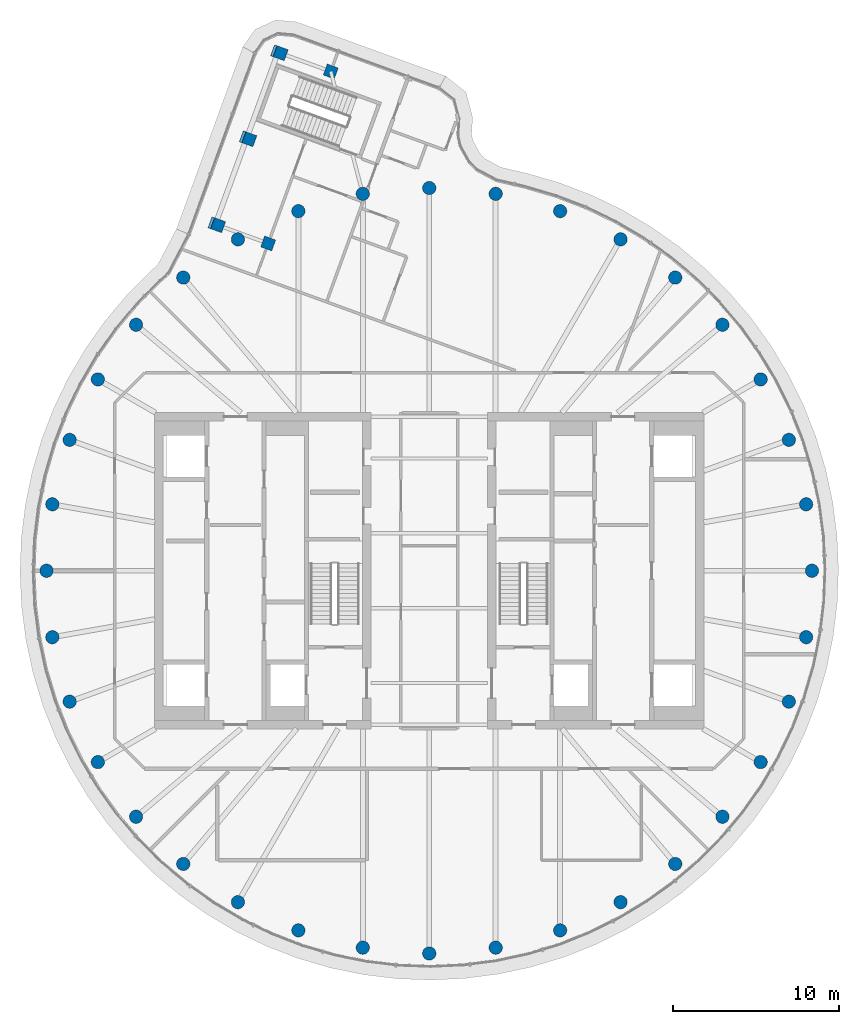
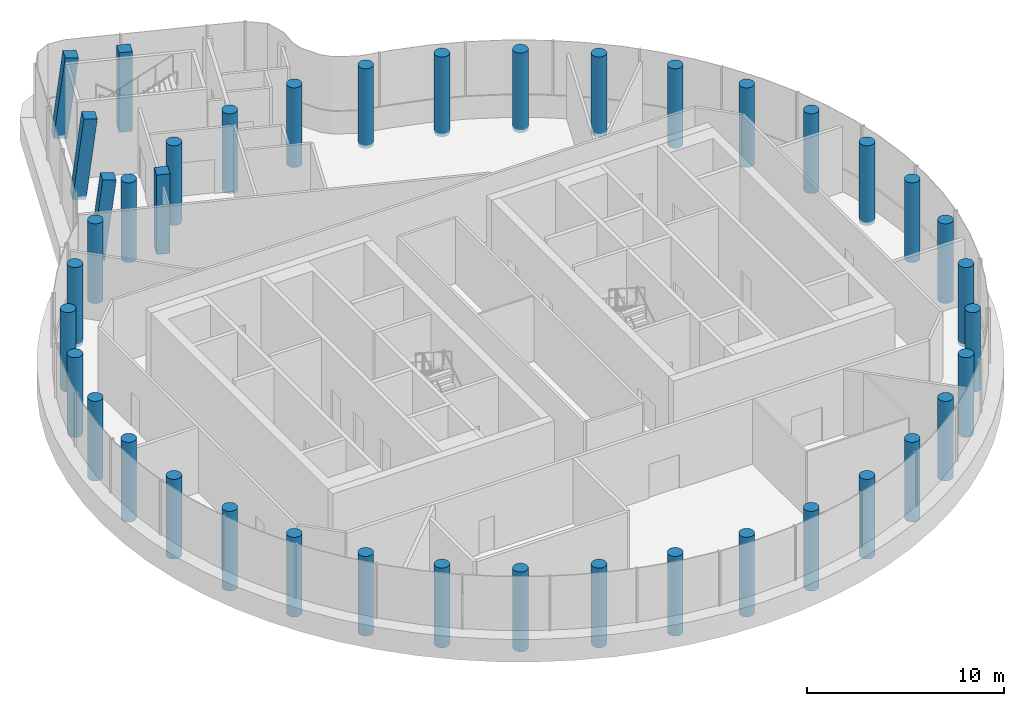
# One storey, part 1 of 12: 41 columns.
"""IFC4 building model written with IfcOpenShell, lengths in metres."""

from ifc_helpers import new_model, si_unit, direction, frame, origin, origin_2d, place, context, subcontext, project, spatial, rectangle, circle, extrude, material, material_profile, profile_set, type_object, element, save


model = new_model("IFC4")

# Units and contexts
model_context = context("Model", 3, precision=1e-05, world=origin(), true_north=direction((0.0, 1.0)))
body_context = subcontext(model_context, "Body", "Model", "MODEL_VIEW")
ifc_project = project(units=[si_unit("LENGTHUNIT", "METRE"), si_unit("AREAUNIT", "SQUARE_METRE"), si_unit("VOLUMEUNIT", "CUBIC_METRE"), si_unit("PLANEANGLEUNIT", "RADIAN"), si_unit("MASSUNIT", "GRAM", prefix="KILO")], contexts=[model_context])

# Site, building, storey
site_placement = place(None, origin())
site = spatial("IfcSite", under=ifc_project, at=site_placement, CompositionType="ELEMENT")
building_placement = place(site_placement, origin())
building = spatial("IfcBuilding", under=site, at=building_placement, Name="Tamarind Cross Interchange Tower", CompositionType="ELEMENT")
storey_placement = place(building_placement, frame((0.0, 0.0, 294.39990234375)))
storey = spatial("IfcBuildingStorey", under=building, at=storey_placement, Name="L73", CompositionType="ELEMENT", Elevation=294.39990234375)

# Columns
ifc_material = material(Name="Concrete C45", Category="concrete")
ifc_material_profile_1 = material_profile(ifc_material, rectangle(XDim=0.699951171875, YDim=0.699951171875, at=origin_2d()), Name="RC 700x700")
ifc_profile_set_1 = profile_set([ifc_material_profile_1], Name="Concrete C45")
column_type_1 = type_object("IfcColumnType", Name="Column RC 700x700 Concrete C45", PredefinedType="COLUMN", material=ifc_profile_set_1)
for number, where, z_axis, x_axis, name in (
    (1, (-9.680419921875, 19.670166015625, -0.192626953125), (0.0, 0.0, 1.0), (0.341993902024, 0.939702171424, 0.0), "Column L73-045"),
    (2, (-5.91845703125, 30.0068359375, -0.192626953125), (0.0, 0.0, 1.0), (0.341993902024, 0.939702171424, 0.0), "Column L73-046"),
):
    element("IfcColumn", number, at=place(storey_placement, frame(where, z_axis=z_axis, x_axis=x_axis)), inside=storey, type_object=column_type_1, Name=name, PredefinedType="COLUMN", context=body_context, shape_type="SweptSolid", body=[
        extrude(rectangle(XDim=0.699951171875, YDim=0.699951171875, at=origin_2d()), origin(), (0.0, 0.0, 1.0), 4.942626953125),
    ])
column_1_placement = place(storey_placement, frame((-9.0869140625, 31.16015625, -0.193115234375), z_axis=(0.111858847363, -0.040734155336, 0.99288887941), x_axis=(0.34217490205, 0.939636278784, 0.0)))
element("IfcColumn", 3, at=column_1_placement, inside=storey, type_object=column_type_1, Name="Column L73-047", PredefinedType="COLUMN", context=body_context, shape_type="SweptSolid", body=[
    extrude(rectangle(XDim=0.699951171875, YDim=0.699951171875, at=origin_2d()), origin(), (0.0, 0.0, 1.0), 4.95654296875),
])
column_2_placement = place(storey_placement, frame((-10.9677734375, 25.99169921875, -0.19091796875), z_axis=(0.111859442764, -0.040752316813, 0.992888067074), x_axis=(0.342307980656, 0.939587806636, 0.0)))
element("IfcColumn", 4, at=column_2_placement, inside=storey, type_object=column_type_1, Name="Column L73-048", PredefinedType="COLUMN", context=body_context, shape_type="SweptSolid", body=[
    extrude(rectangle(XDim=0.699951171875, YDim=0.699951171875, at=origin_2d()), origin(), (0.0, 0.0, 1.0), 4.954345703125),
])
column_3_placement = place(storey_placement, frame((-12.848388671875, 20.8232421875, -0.1884765625), z_axis=(0.111865739051, -0.040723270364, 0.992888549474), x_axis=(-0.932990015184, 0.339642905483, 0.119047588479)))
element("IfcColumn", 5, at=column_3_placement, inside=storey, type_object=column_type_1, Name="Column L73-049", PredefinedType="COLUMN", context=body_context, shape_type="SweptSolid", body=[
    extrude(rectangle(XDim=0.699951171875, YDim=0.699951171875, at=origin_2d()), origin(), (0.0, 0.0, 1.0), 4.951904296875),
])
ifc_material_profile_2 = material_profile(ifc_material, circle(Radius=0.39990234375, at=origin_2d()), Name="RC D800")
ifc_profile_set_2 = profile_set([ifc_material_profile_2], Name="Concrete C45")
column_type_2 = type_object("IfcColumnType", Name="Column RC D800 Concrete C45", PredefinedType="COLUMN", material=ifc_profile_set_2)
for number, where, z_axis, x_axis, name in (
    (6, (23.0, 0.0, -0.199951171875), (0.0, 0.0, 1.0), (1.0, 0.0, 0.0), "Column L73-000"),
    (7, (22.650634765625, 3.993896484375, -0.199951171875), (0.0, 0.0, 1.0), (1.0, 0.0, 0.0), "Column L73-001"),
    (8, (21.613037109375, 7.866455078125, -0.199951171875), (0.0, 0.0, 1.0), (1.0, 0.0, 0.0), "Column L73-002"),
    (9, (19.918701171875, 11.5, -0.199951171875), (0.0, 0.0, 1.0), (1.0, 0.0, 0.0), "Column L73-003"),
    (10, (17.619140625, 14.7841796875, -0.199951171875), (0.0, 0.0, 1.0), (1.0, 0.0, 0.0), "Column L73-004"),
    (11, (14.7841796875, 17.619140625, -0.199951171875), (0.0, 0.0, 1.0), (1.0, 0.0, 0.0), "Column L73-005"),
    (12, (11.5, 19.918701171875, -0.199951171875), (0.0, 0.0, 1.0), (1.0, 0.0, 0.0), "Column L73-006"),
    (13, (7.866455078125, 21.613037109375, -0.199951171875), (0.0, 0.0, 1.0), (1.0, 0.0, 0.0), "Column L73-007"),
    (14, (3.993896484375, 22.650634765625, -0.199951171875), (0.0, 0.0, 1.0), (1.0, 0.0, 0.0), "Column L73-008"),
    (15, (0.0, 23.0, -0.199951171875), (0.0, 0.0, 1.0), (1.0, 0.0, 0.0), "Column L73-009"),
    (16, (-3.993896484375, 22.650634765625, -0.199951171875), (0.0, 0.0, 1.0), (1.0, 0.0, 0.0), "Column L73-010"),
    (17, (-7.866455078125, 21.613037109375, -0.199951171875), (0.0, 0.0, 1.0), (1.0, 0.0, 0.0), "Column L73-011"),
    (18, (-11.5, 19.918701171875, -0.199951171875), (0.0, 0.0, 1.0), (1.0, 0.0, 0.0), "Column L73-012"),
    (19, (-14.7841796875, 17.619140625, -0.199951171875), (0.0, 0.0, 1.0), (1.0, 0.0, 0.0), "Column L73-013"),
    (20, (-17.619140625, 14.7841796875, -0.199951171875), (0.0, 0.0, 1.0), (1.0, 0.0, 0.0), "Column L73-014"),
    (21, (-19.918701171875, 11.5, -0.199951171875), (0.0, 0.0, 1.0), (1.0, 0.0, 0.0), "Column L73-015"),
    (22, (-21.613037109375, 7.866455078125, -0.199951171875), (0.0, 0.0, 1.0), (1.0, 0.0, 0.0), "Column L73-016"),
    (23, (-22.650634765625, 3.993896484375, -0.199951171875), (0.0, 0.0, 1.0), (1.0, 0.0, 0.0), "Column L73-017"),
    (24, (-23.0, 0.0, -0.199951171875), (0.0, 0.0, 1.0), (1.0, 0.0, 0.0), "Column L73-018"),
    (25, (-22.650634765625, -3.993896484375, -0.199951171875), (0.0, 0.0, 1.0), (1.0, 0.0, 0.0), "Column L73-019"),
    (26, (-21.613037109375, -7.866455078125, -0.199951171875), (0.0, 0.0, 1.0), (1.0, 0.0, 0.0), "Column L73-020"),
    (27, (-19.918701171875, -11.5, -0.199951171875), (0.0, 0.0, 1.0), (1.0, 0.0, 0.0), "Column L73-021"),
    (28, (-17.619140625, -14.7841796875, -0.199951171875), (0.0, 0.0, 1.0), (1.0, 0.0, 0.0), "Column L73-022"),
    (29, (-14.7841796875, -17.619140625, -0.199951171875), (0.0, 0.0, 1.0), (1.0, 0.0, 0.0), "Column L73-023"),
    (30, (-11.5, -19.918701171875, -0.199951171875), (0.0, 0.0, 1.0), (1.0, 0.0, 0.0), "Column L73-024"),
    (31, (-7.866455078125, -21.613037109375, -0.199951171875), (0.0, 0.0, 1.0), (1.0, 0.0, 0.0), "Column L73-025"),
    (32, (-3.993896484375, -22.650634765625, -0.199951171875), (0.0, 0.0, 1.0), (1.0, 0.0, 0.0), "Column L73-026"),
    (33, (0.0, -23.0, -0.199951171875), (0.0, 0.0, 1.0), (1.0, 0.0, 0.0), "Column L73-027"),
    (34, (3.993896484375, -22.650634765625, -0.199951171875), (0.0, 0.0, 1.0), (1.0, 0.0, 0.0), "Column L73-028"),
    (35, (7.866455078125, -21.613037109375, -0.199951171875), (0.0, 0.0, 1.0), (1.0, 0.0, 0.0), "Column L73-029"),
    (36, (11.5, -19.918701171875, -0.199951171875), (0.0, 0.0, 1.0), (1.0, 0.0, 0.0), "Column L73-030"),
    (37, (14.7841796875, -17.619140625, -0.199951171875), (0.0, 0.0, 1.0), (1.0, 0.0, 0.0), "Column L73-031"),
    (38, (17.619140625, -14.7841796875, -0.199951171875), (0.0, 0.0, 1.0), (1.0, 0.0, 0.0), "Column L73-032"),
    (39, (19.918701171875, -11.5, -0.199951171875), (0.0, 0.0, 1.0), (1.0, 0.0, 0.0), "Column L73-033"),
    (40, (21.613037109375, -7.866455078125, -0.199951171875), (0.0, 0.0, 1.0), (1.0, 0.0, 0.0), "Column L73-034"),
    (41, (22.650634765625, -3.993896484375, -0.199951171875), (0.0, 0.0, 1.0), (1.0, 0.0, 0.0), "Column L73-035"),
):
    element("IfcColumn", number, at=place(storey_placement, frame(where, z_axis=z_axis, x_axis=x_axis)), inside=storey, type_object=column_type_2, Name=name, PredefinedType="COLUMN", context=body_context, shape_type="SweptSolid", body=[
        extrude(circle(Radius=0.39990234375, at=origin_2d()), origin(), (0.0, 0.0, 1.0), 4.949951171875),
    ])

save(model, "model.ifc")
